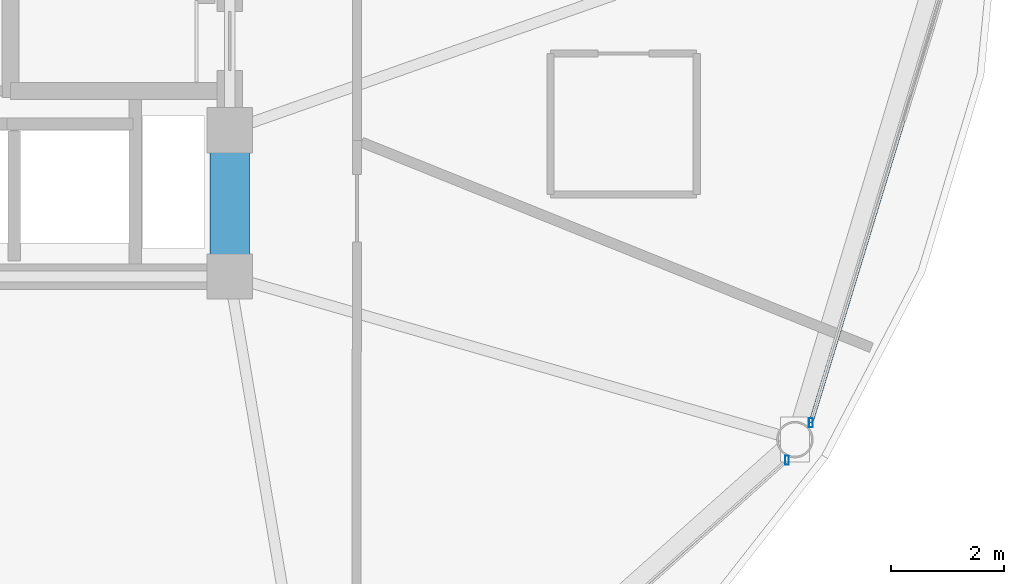
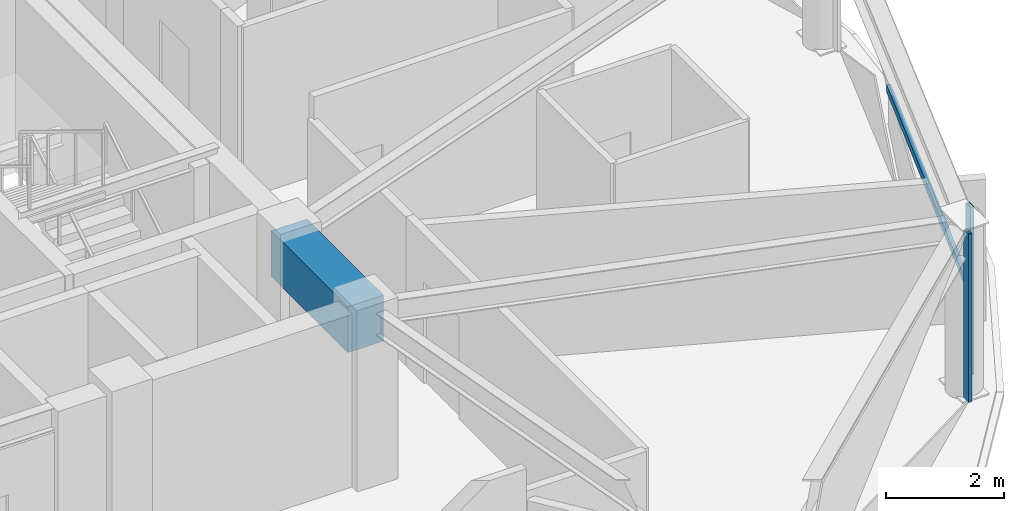
# One storey, part 12 of 30: 3 members, 1 beam, 2 elements without a shape of their own.
"""IFC4 building model written with IfcOpenShell, lengths in metres."""

from ifc_helpers import new_model, si_unit, direction, frame, origin, origin_2d, place, context, subcontext, project, spatial, rectangle, hollow_rectangle, extrude, material, layer, layer_set, material_profile, profile_set, type_object, element, aggregate, save


model = new_model("IFC4")

# Units and contexts
model_context = context("Model", 3, precision=1e-05, world=origin(), true_north=direction((0.0, 1.0)))
body_context = subcontext(model_context, "Body", "Model", "MODEL_VIEW")
ifc_project = project(units=[si_unit("LENGTHUNIT", "METRE"), si_unit("AREAUNIT", "SQUARE_METRE"), si_unit("VOLUMEUNIT", "CUBIC_METRE"), si_unit("PLANEANGLEUNIT", "RADIAN"), si_unit("MASSUNIT", "GRAM", prefix="KILO")], contexts=[model_context])

# Site, building, storey
site_placement = place(None, origin())
site = spatial("IfcSite", under=ifc_project, at=site_placement, CompositionType="ELEMENT")
building_placement = place(site_placement, origin())
building = spatial("IfcBuilding", under=site, at=building_placement, Name="Vantalir Tower", CompositionType="ELEMENT")
storey_placement = place(building_placement, frame((0.0, 0.0, 193.64990234375)))
storey = spatial("IfcBuildingStorey", under=building, at=storey_placement, Name="L48", CompositionType="ELEMENT", Elevation=193.64990234375)

# Beam
ifc_material_1 = material(Name="Concrete C60/75", Category="concrete")
ifc_material_profile_1 = material_profile(ifc_material_1, rectangle(XDim=0.699951171875, YDim=0.949951171875, at=origin_2d()), Name="Concrete C60/75")
ifc_profile_set_1 = profile_set([ifc_material_profile_1], Name="Concrete C60/75")
beam_type = type_object("IfcBeamType", Name="BM-CB-700x950", PredefinedType="USERDEFINED", material=ifc_profile_set_1)
beam_placement = place(storey_placement, frame((41.10009765625, 17.800048828125, 3.09521484375), z_axis=(0.0, 1.0, 0.0), x_axis=(-1.0, 0.0, 0.0)))
element("IfcBeam", 1, at=beam_placement, inside=storey, type_object=beam_type, Name="L48 Core Coupling Girder 05", ObjectType="GIRDER", PredefinedType="USERDEFINED", context=body_context, shape_type="SweptSolid", body=[
    extrude(rectangle(XDim=0.699951171875, YDim=0.949951171875, at=origin_2d()), origin(), (0.0, 0.0, 1.0), 2.599853515625),
])

# Curtain wall, member
ifc_material_2 = material(Name="Champagne-silver PVDF aluminium and double-silver Low-E glass", Category="aluminium")
ifc_layer = layer(ifc_material_2, 0.2099609375)
ifc_layer_set = layer_set([ifc_layer], Name="Champagne-silver PVDF aluminium and double-silver Low-E glass")
curtain_wall_type = type_object("IfcCurtainWallType", Name="CW-DIAMOND-Z3", PredefinedType="USERDEFINED", material=ifc_layer_set)
curtain_wall_1_placement = place(storey_placement, origin())
curtain_wall_1 = element("IfcCurtainWall", 2, at=curtain_wall_1_placement, inside=storey, type_object=curtain_wall_type, Name="L48 Quilted Pyramid-Diamond Curtain Wall S11", ObjectType="UNITISED CURTAIN WALL", PredefinedType="USERDEFINED")
ifc_material_3 = material(Name="Champagne-silver PVDF aluminium 6063-T6", Category="aluminium")
ifc_material_profile_2 = material_profile(ifc_material_3, hollow_rectangle(XDim=0.070068359375, YDim=0.1650390625, WallThickness=0.00390625, at=origin_2d()), Name="Champagne-silver PVDF aluminium 6063-T6")
ifc_profile_set_2 = profile_set([ifc_material_profile_2], Name="Champagne-silver PVDF aluminium 6063-T6")
member_type_1 = type_object("IfcMemberType", Name="CWM-165x70", PredefinedType="MULLION", material=ifc_profile_set_2)
member_1_placement = place(storey_placement, frame((50.9970703125, 14.5380859375, 0.045166015625), z_axis=(0.0, 0.0, 1.0), x_axis=(1.0, 0.0, 0.0)))
member_1 = element("IfcMember", 3, at=member_1_placement, type_object=member_type_1, Name="CW-L48-S11 Mullion 2", PredefinedType="MULLION", context=body_context, shape_type="SweptSolid", body=[
    extrude(hollow_rectangle(XDim=0.070068359375, YDim=0.1650390625, WallThickness=0.00390625, at=origin_2d()), origin(), (0.0, 0.0, 1.0), 3.47998046875),
])
aggregate(curtain_wall_1, [member_1])

# Curtain wall, members
curtain_wall_2_placement = place(storey_placement, origin())
curtain_wall_2 = element("IfcCurtainWall", 4, at=curtain_wall_2_placement, inside=storey, type_object=curtain_wall_type, Name="L48 Quilted Pyramid-Diamond Curtain Wall S12", ObjectType="UNITISED CURTAIN WALL", PredefinedType="USERDEFINED")
member_2_placement = place(storey_placement, frame((51.4208984375, 15.2041015625, 0.045166015625), z_axis=(0.0, 0.0, 1.0), x_axis=(1.0, 0.0, 0.0)))
member_2 = element("IfcMember", 5, at=member_2_placement, type_object=member_type_1, Name="CW-L48-S12 Mullion 1", PredefinedType="MULLION", context=body_context, shape_type="SweptSolid", body=[
    extrude(hollow_rectangle(XDim=0.070068359375, YDim=0.1650390625, WallThickness=0.00390625, at=origin_2d()), origin(), (0.0, 0.0, 1.0), 3.47998046875),
])
ifc_material_profile_3 = material_profile(ifc_material_3, hollow_rectangle(XDim=0.074951171875, YDim=0.159912109375, WallThickness=0.00390625, at=origin_2d()), Name="Champagne-silver PVDF aluminium 6063-T6")
ifc_profile_set_3 = profile_set([ifc_material_profile_3], Name="Champagne-silver PVDF aluminium 6063-T6")
member_type_2 = type_object("IfcMemberType", Name="CWT-160x75", PredefinedType="USERDEFINED", material=ifc_profile_set_3)
member_3_placement = place(storey_placement, frame((51.4208984375, 15.2041015625, 1.78515625), z_axis=(0.291614579356, 0.956535904766, 0.0), x_axis=(-0.956535904766, 0.291614579356, 0.0)))
member_3 = element("IfcMember", 6, at=member_3_placement, type_object=member_type_2, Name="CW-L48-S12 Pyramid Fold Ridge Transom", ObjectType="TRANSOM", PredefinedType="USERDEFINED", context=body_context, shape_type="SweptSolid", body=[
    extrude(hollow_rectangle(XDim=0.074951171875, YDim=0.159912109375, WallThickness=0.00390625, at=origin_2d()), origin(), (0.0, 0.0, 1.0), 6.090576171875),
])
aggregate(curtain_wall_2, [member_2, member_3])

save(model, "model.ifc")
